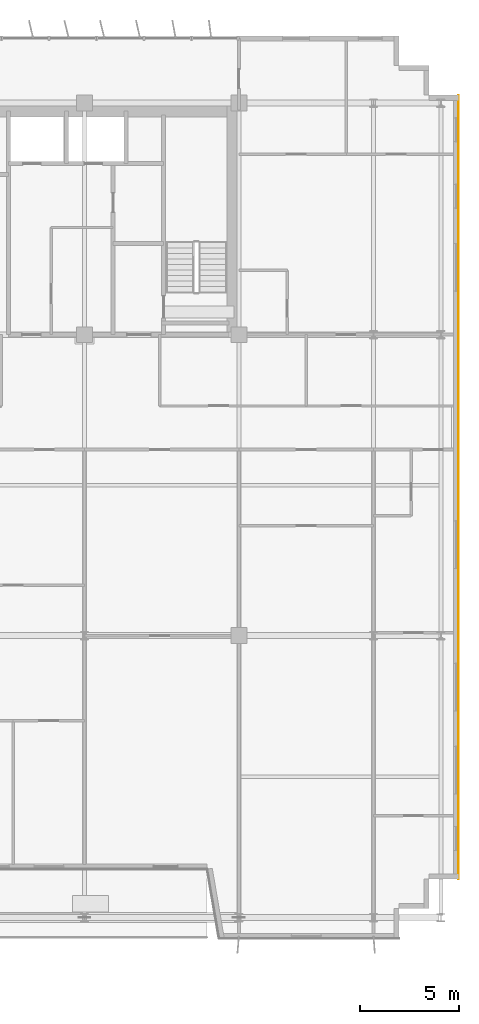
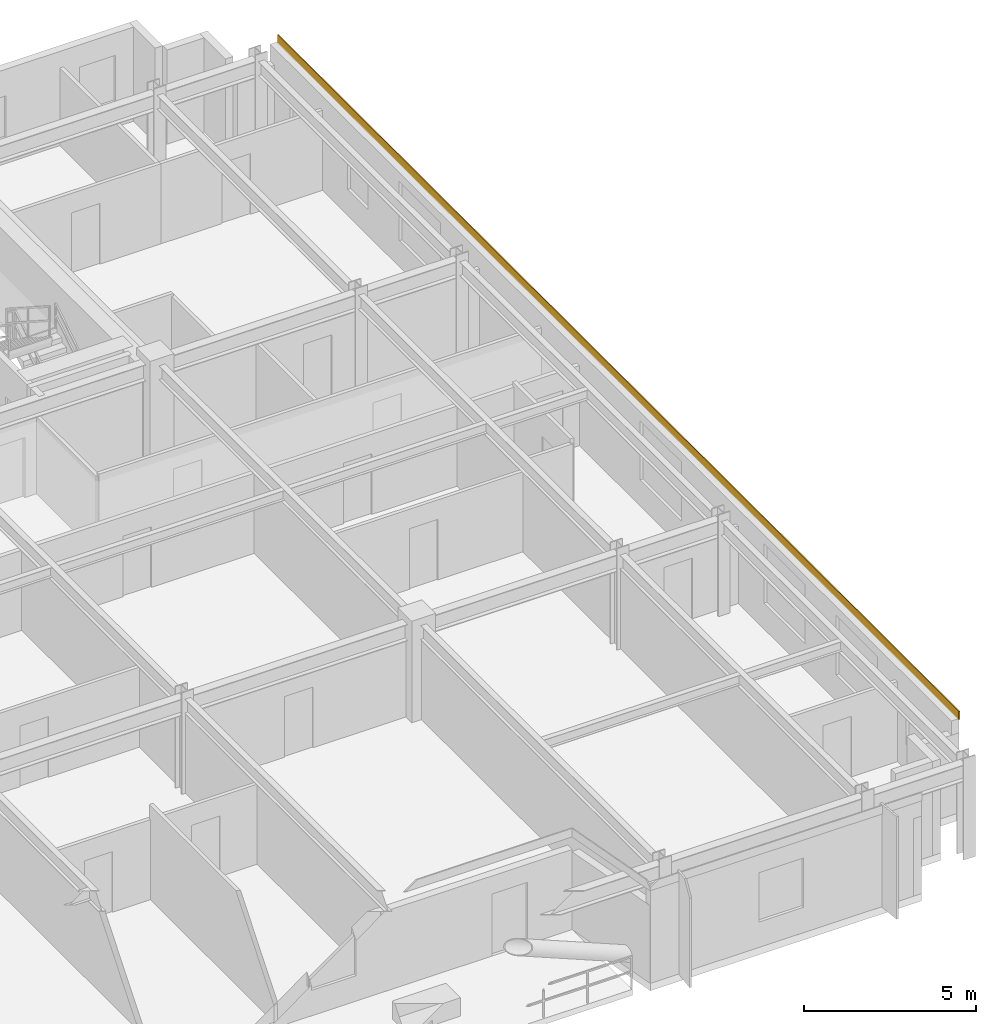
# One storey, part 22 of 22: 1 covering.
"""IFC4 building model written with IfcOpenShell, lengths in metres."""

from ifc_helpers import new_model, si_unit, direction, frame, origin, origin_2d, place, context, subcontext, project, spatial, rectangle, extrude, source, transform, mapped, material, layer, layer_set, type_object, element, save


model = new_model("IFC4")

# Units and contexts
model_context = context("Model", 3, precision=1e-05, world=origin(), true_north=direction((0.0, 1.0)))
body_context = subcontext(model_context, "Body", "Model", "MODEL_VIEW")
ifc_project = project(units=[si_unit("LENGTHUNIT", "METRE"), si_unit("AREAUNIT", "SQUARE_METRE"), si_unit("VOLUMEUNIT", "CUBIC_METRE"), si_unit("PLANEANGLEUNIT", "RADIAN"), si_unit("MASSUNIT", "GRAM", prefix="KILO")], contexts=[model_context])

# Site, building, storey
site_placement = place(None, origin())
site = spatial("IfcSite", under=ifc_project, at=site_placement, CompositionType="ELEMENT")
building_placement = place(site_placement, origin())
building = spatial("IfcBuilding", under=site, at=building_placement, Name="Trelvane Seafront Commons", CompositionType="ELEMENT")
storey_placement = place(building_placement, frame((0.0, 0.0, 121.300048828125)))
storey = spatial("IfcBuildingStorey", under=building, at=storey_placement, Name="L31", CompositionType="ELEMENT", Elevation=121.300048828125)

# Covering
ifc_material = material(Name="Anodised pale-silver aluminium", Category="aluminium")
ifc_layer = layer(ifc_material, 0.034912109375, Name="ARCH-COV-CLAD35")
ifc_layer_set = layer_set([ifc_layer], Name="Anodised pale-silver aluminium")
covering_type = type_object("IfcCoveringType", Name="ARCH-COV-CLAD35", PredefinedType="CLADDING", material=ifc_layer_set)
shared_shape = source(origin(), body_context, "Body", "SweptSolid", [
    extrude(rectangle(XDim=39.60009765625, YDim=0.034912109375, at=origin_2d()), origin(), (0.0, 0.0, 1.0), 0.300048828125),
])
covering_placement = place(storey_placement, frame((69.89990234375, 25.699951171875, 3.2998046875), z_axis=(0.0, 0.0, 1.0), x_axis=(0.0, -1.0, 0.0)))
element("IfcCovering", 1, at=covering_placement, inside=storey, type_object=covering_type, Name="CLD-L31-00125", PredefinedType="CLADDING", context=body_context, shape_type="MappedRepresentation", body=[
    mapped(shared_shape, transform((0.0, 0.0, 0.0), x_axis=(1.0, 0.0, 0.0), y_axis=(0.0, 1.0, 0.0), z_axis=(0.0, 0.0, 1.0), scale=1.0)),
])

save(model, "model.ifc")
